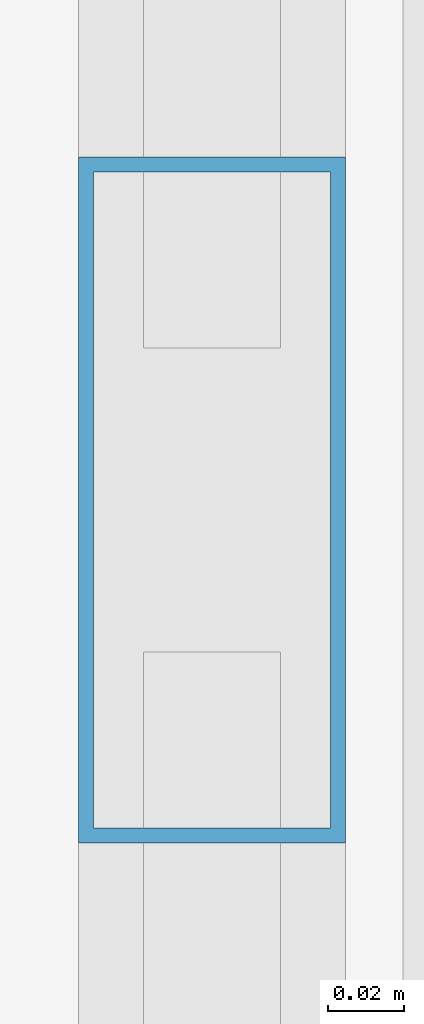
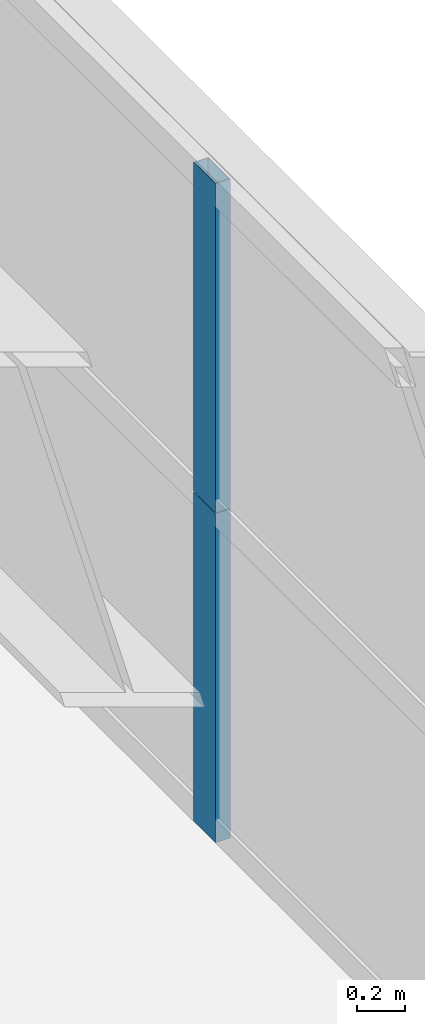
# One storey, part 19 of 44: 2 members, 1 element without a shape of its own.
"""IFC4 building model written with IfcOpenShell, lengths in metres."""

from ifc_helpers import new_model, si_unit, direction, frame, origin, origin_2d, place, context, subcontext, project, spatial, hollow_rectangle, extrude, source, transform, mapped, material, layer, layer_set, material_profile, profile_set, type_object, element, aggregate, save


model = new_model("IFC4")

# Units and contexts
model_context = context("Model", 3, precision=1e-05, world=origin(), true_north=direction((0.0, 1.0)))
body_context = subcontext(model_context, "Body", "Model", "MODEL_VIEW")
ifc_project = project(units=[si_unit("LENGTHUNIT", "METRE"), si_unit("AREAUNIT", "SQUARE_METRE"), si_unit("VOLUMEUNIT", "CUBIC_METRE"), si_unit("PLANEANGLEUNIT", "RADIAN"), si_unit("MASSUNIT", "GRAM", prefix="KILO"), si_unit("THERMODYNAMICTEMPERATUREUNIT", "KELVIN"), si_unit("POWERUNIT", "WATT")], contexts=[model_context])

# Site, building, storey
site_placement = place(None, origin())
site = spatial("IfcSite", under=ifc_project, at=site_placement, CompositionType="ELEMENT")
building_placement = place(site_placement, origin())
building = spatial("IfcBuilding", under=site, at=building_placement, Name="Yuzanri Waterfront Tower", CompositionType="ELEMENT")
storey_placement = place(building_placement, frame((0.0, 0.0, 82.0)))
storey = spatial("IfcBuildingStorey", under=building, at=storey_placement, Name="L21", CompositionType="ELEMENT", Elevation=82.0)

# Curtain wall, members
ifc_material_1 = material(Name="Anodized Architectural Bronze", Category="metal")
ifc_layer = layer(ifc_material_1, 0.159912109375)
ifc_layer_set = layer_set([ifc_layer], Name="Anodized Architectural Bronze")
curtain_wall_type = type_object("IfcCurtainWallType", Name="Anodized Bronze Hotel Lower-Tier Recessed Unitized Curtain Wall 8100", PredefinedType="NOTDEFINED", material=ifc_layer_set)
curtain_wall_placement = place(storey_placement, origin())
curtain_wall = element("IfcCurtainWall", 1, at=curtain_wall_placement, inside=storey, type_object=curtain_wall_type, Name="L21 Curtain Wall CW-L21-EL", PredefinedType="NOTDEFINED")
ifc_material_2 = material(Name="Anodized Architectural Bronze", Category="metal")
ifc_material_profile = material_profile(ifc_material_2, hollow_rectangle(XDim=0.070068359375, YDim=0.179931640625, WallThickness=0.00390625, at=origin_2d()), Name="CWM 70x180")
ifc_profile_set = profile_set([ifc_material_profile], Name="Anodized Architectural Bronze")
member_type = type_object("IfcMemberType", Name="Anodized Bronze Standard Curtain-Wall Mullion 70x180", PredefinedType="MULLION", material=ifc_profile_set)
shared_shape = source(origin(), body_context, "Body", "SweptSolid", [
    extrude(hollow_rectangle(XDim=0.070068359375, YDim=0.179931640625, WallThickness=0.00390625, at=origin_2d()), origin(), (0.0, 0.0, 1.0), 1.657958984375),
])
member_1_placement = place(storey_placement, frame((61.949951171875, 16.699951171875, 0.0), z_axis=(0.0, 0.0, 1.0), x_axis=(1.0, 0.0, 0.0)))
member_1 = element("IfcMember", 2, at=member_1_placement, type_object=member_type, Name="CW-L21-EL Lower Mullion 01", PredefinedType="MULLION", context=body_context, shape_type="MappedRepresentation", body=[
    mapped(shared_shape, transform((0.0, 0.0, 0.0), scale=1.0)),
])
member_2_placement = place(storey_placement, frame((61.949951171875, 16.699951171875, 1.662109375), z_axis=(0.0, 0.0, 1.0), x_axis=(1.0, 0.0, 0.0)))
member_2 = element("IfcMember", 3, at=member_2_placement, type_object=member_type, Name="CW-L21-EL Upper Mullion 01", PredefinedType="MULLION", context=body_context, shape_type="MappedRepresentation", body=[
    mapped(shared_shape, transform((0.0, 0.0, 0.0), scale=1.0)),
])
aggregate(curtain_wall, [member_1, member_2])

save(model, "model.ifc")
